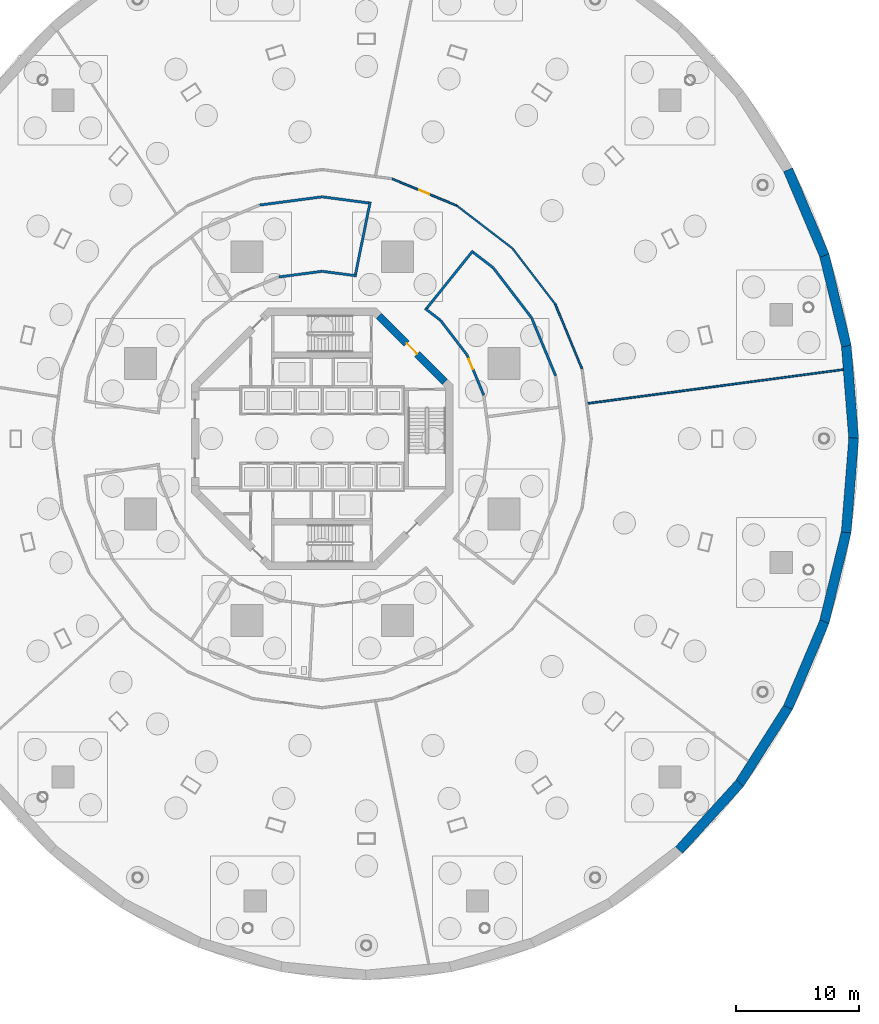
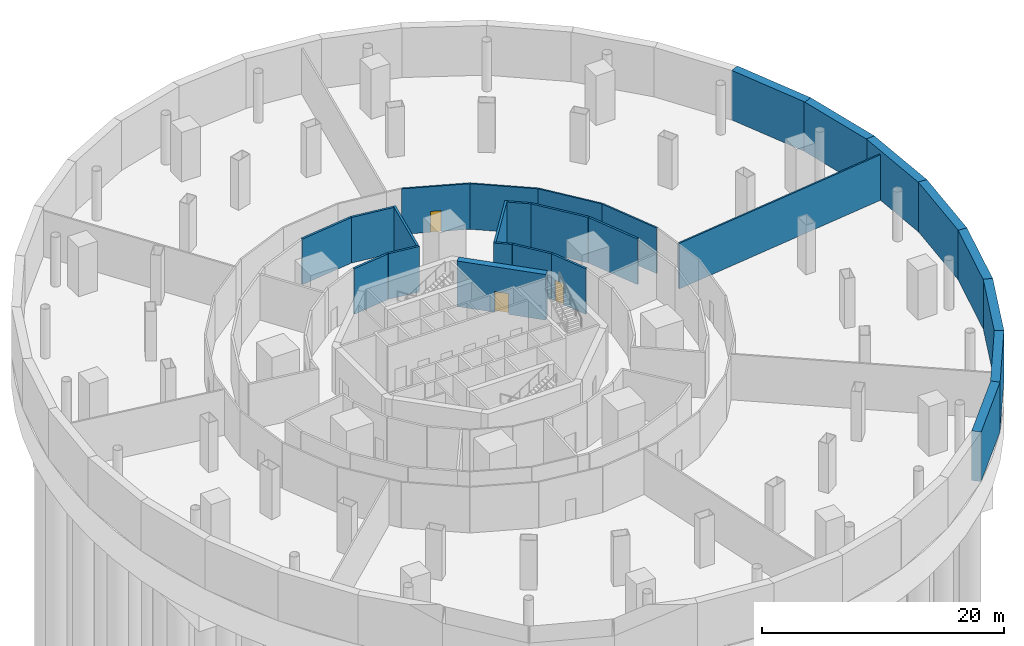
# One storey, part 9 of 14: 26 walls, 3 doors, 3 openings.
"""IFC4 building model written with IfcOpenShell, lengths in metres."""

import ifcopenshell
import ifcopenshell.guid

model = None  # the IFC model being written
_history = None  # IfcOwnerHistory: only IFC2X3 demands one
_inside = {}  # id of a spatial element -> (the spatial element, [elements in it])
_under = {}  # id of a project, library or spatial element -> (it, [spatial elements below it])
_declared = {}  # id of a project -> (the project, [libraries it declares])
_typed = {}  # id of a type object -> (the type object, [elements of that type])
_made_of = {}  # id of a material, layer set ... -> (it, [elements and type objects made of it])


def new_model(schema):
    """Start an empty IFC model of exactly this schema.

    Asked for "IFC4X3", IfcOpenShell would pick the latest addendum, in which some entities
    have other attributes; the version numbers below select the first issue.
    IFC2X3 requires an IfcOwnerHistory on every rooted entity: one is made here for all.
    """
    global model, _history
    if schema == "IFC4X3":
        model = ifcopenshell.file(schema_version=(4, 3, 0, 0))
    else:
        model = ifcopenshell.file(schema=schema)
    _inside.clear()
    _under.clear()
    _declared.clear()
    _typed.clear()
    _made_of.clear()
    _history = None
    if model.schema == "IFC2X3":
        org = make("IfcOrganization", Name="unknown")
        user = make(
            "IfcPersonAndOrganization",
            ThePerson=make("IfcPerson", FamilyName="unknown"),
            TheOrganization=org,
        )
        app = make(
            "IfcApplication",
            ApplicationDeveloper=org,
            Version="unknown",
            ApplicationFullName="unknown",
            ApplicationIdentifier="unknown",
        )
        _history = make(
            "IfcOwnerHistory",
            OwningUser=user,
            OwningApplication=app,
            ChangeAction="ADDED",
            CreationDate=0,
        )
    return model


def make(cls, **values):
    """One entity of the class cls with the attributes given. An attribute that is None is left unset."""
    return model.create_entity(
        cls, **{name: value for name, value in values.items() if value is not None}
    )


def rooted(cls, **values):
    """An entity with a GlobalId (a new one), such as an element, a storey or a relation."""
    return make(cls, GlobalId=ifcopenshell.guid.new(), OwnerHistory=_history, **values)


def si_unit(unit_type, name, prefix=None):
    """IfcSIUnit, for example si_unit("LENGTHUNIT", "METRE", prefix="MILLI")."""
    return make("IfcSIUnit", UnitType=unit_type, Prefix=prefix, Name=name)


def assignment(units):
    """IfcUnitAssignment: the units of a project."""
    return None if units is None else make("IfcUnitAssignment", Units=units)


def point(xyz):
    """IfcCartesianPoint."""
    return None if xyz is None else make("IfcCartesianPoint", Coordinates=xyz)


def direction(xyz):
    """IfcDirection."""
    return None if xyz is None else make("IfcDirection", DirectionRatios=xyz)


def frame(location, z_axis=None, x_axis=None):
    """IfcAxis2Placement3D, a coordinate frame: its origin and axes. An axis left out is left unset."""
    return make(
        "IfcAxis2Placement3D",
        Location=point(location),
        Axis=direction(z_axis),
        RefDirection=direction(x_axis),
    )


def frame_2d(location, x_axis=None):
    """IfcAxis2Placement2D, a coordinate frame in the plane: its origin and x axis."""
    return make(
        "IfcAxis2Placement2D", Location=point(location), RefDirection=direction(x_axis)
    )


def origin():
    """The frame at (0, 0, 0) with its axes left unset."""
    return frame((0.0, 0.0, 0.0))


def place(relative_to, where):
    """IfcLocalPlacement: puts the frame where relative to a parent placement (None: the world)."""
    return make(
        "IfcLocalPlacement", PlacementRelTo=relative_to, RelativePlacement=where
    )


def context(
    kind, dimensions, precision=None, world=None, true_north=None, identifier=None
):
    """IfcGeometricRepresentationContext, for example the 3D "Model" context."""
    return make(
        "IfcGeometricRepresentationContext",
        ContextIdentifier=identifier,
        ContextType=kind,
        CoordinateSpaceDimension=dimensions,
        Precision=precision,
        WorldCoordinateSystem=world,
        TrueNorth=true_north,
    )


def subcontext(parent, identifier, kind, view, scale=None):
    """IfcGeometricRepresentationSubContext, for example "Body" below "Model"."""
    return make(
        "IfcGeometricRepresentationSubContext",
        ContextIdentifier=identifier,
        ContextType=kind,
        ParentContext=parent,
        TargetScale=scale,
        TargetView=view,
    )


def project(units=None, contexts=None):
    """IfcProject with its units and contexts."""
    return rooted(
        "IfcProject",
        Name="project",
        RepresentationContexts=contexts,
        UnitsInContext=assignment(units),
    )


def spatial(cls, under=None, at=None, **own):
    """A site, building, storey or space (cls), placed at a placement, below another one or the project."""
    s = rooted(cls, ObjectPlacement=at, **own)
    if under is not None:
        _under.setdefault(under.id(), (under, []))[1].append(s)
    return s


def profile(cls, at=None, kind="AREA", **sizes):
    """A parametric profile (cls). Its sizes go by their IFC names, for example OverallWidth=200.0."""
    return make(cls, ProfileType=kind, Position=at, **sizes)


def rectangle(**sizes):
    """IfcRectangleProfileDef."""
    return profile("IfcRectangleProfileDef", **sizes)


def extrude(swept, where, along, depth):
    """IfcExtrudedAreaSolid: the profile swept, set in the frame where, extruded along a direction by depth."""
    return make(
        "IfcExtrudedAreaSolid",
        SweptArea=swept,
        Position=where,
        ExtrudedDirection=direction(along),
        Depth=depth,
    )


def shape(context_of_items, identifier, shape_type, items):
    """IfcShapeRepresentation: the items that make up one representation, for example the "Body"."""
    return make(
        "IfcShapeRepresentation",
        ContextOfItems=context_of_items,
        RepresentationIdentifier=identifier,
        RepresentationType=shape_type,
        Items=items,
    )


def material(Name=None, Category=None):
    """IfcMaterial."""
    return make("IfcMaterial", Name=Name, Category=Category)


def layer(
    of_material, thickness, ventilated=None, Name=None, Category=None, Priority=None
):
    """IfcMaterialLayer: one layer of a wall or slab, of a material (None: an air gap)."""
    return make(
        "IfcMaterialLayer",
        Material=of_material,
        LayerThickness=thickness,
        IsVentilated=ventilated,
        Name=Name,
        Category=Category,
        Priority=Priority,
    )


def layer_set(layers, Name=None):
    """IfcMaterialLayerSet."""
    return make("IfcMaterialLayerSet", MaterialLayers=layers, LayerSetName=Name)


def made_of(thing, what):
    """Note that an element or type object is made of a material, layer set ...; save() writes the relation."""
    if what is not None:
        _made_of.setdefault(what.id(), (what, []))[1].append(thing)
    return thing


def type_object(cls, material=None, **own):
    """A type object (cls), such as IfcWallType, which elements share."""
    return made_of(rooted(cls, **own), material)


def element(
    cls,
    number,
    at=None,
    inside=None,
    cuts=None,
    type_object=None,
    material=None,
    context=None,
    identifier="Body",
    shape_type=None,
    held_by="IfcProductDefinitionShape",
    body=None,
    shapes=None,
    **own,
):
    """One element of the class cls, such as IfcWall. Its Tag is "e" and its number.

    at: its placement. inside: the storey or other place that contains it. cuts: it is an
    opening in that element (IfcRelVoidsElement). A single representation is given by context,
    identifier, shape_type and body (its items); several are given by shapes. held_by: the class
    of the entity that holds the representations. save() writes the other relations.
    """
    e = rooted(cls, Tag="e%d" % number, ObjectPlacement=at, **own)
    if body is not None:
        shapes = [shape(context, identifier, shape_type, body)]
    if shapes is not None:
        e.Representation = make(held_by, Representations=shapes)
    if inside is not None:
        _inside.setdefault(inside.id(), (inside, []))[1].append(e)
    if cuts is not None:
        rooted(
            "IfcRelVoidsElement", RelatingBuildingElement=cuts, RelatedOpeningElement=e
        )
    if type_object is not None:
        _typed.setdefault(type_object.id(), (type_object, []))[1].append(e)
    return made_of(e, material)


def fill(opening, filler):
    """IfcRelFillsElement: the door or window that sits in an opening."""
    return rooted(
        "IfcRelFillsElement",
        RelatingOpeningElement=opening,
        RelatedBuildingElement=filler,
    )


def aggregate(whole, parts):
    """IfcRelAggregates: a whole, such as a stair, and the parts it consists of."""
    return rooted("IfcRelAggregates", RelatingObject=whole, RelatedObjects=parts)


def save(model, path):
    """Write the relations noted so far, then the file.

    IfcRelAggregates (storeys below a building ...), IfcRelContainedInSpatialStructure (elements
    in a storey), IfcRelDefinesByType, IfcRelAssociatesMaterial and IfcRelDeclares: one each for
    every whole, place, type object, material and project.
    """
    for whole, parts in _under.values():
        aggregate(whole, parts)
    for where, things in _inside.values():
        rooted(
            "IfcRelContainedInSpatialStructure",
            RelatedElements=things,
            RelatingStructure=where,
        )
    for kind, things in _typed.values():
        rooted("IfcRelDefinesByType", RelatedObjects=things, RelatingType=kind)
    for what, things in _made_of.values():
        rooted("IfcRelAssociatesMaterial", RelatedObjects=things, RelatingMaterial=what)
    for by, libraries in _declared.values():
        rooted("IfcRelDeclares", RelatingContext=by, RelatedDefinitions=libraries)
    model.write(path)


model = new_model("IFC4")

# Units and contexts
model_context = context("Model", 3, precision=1e-05, world=origin(), true_north=direction((0.0, 1.0)))
body_context = subcontext(model_context, "Body", "Model", "MODEL_VIEW")
ifc_project = project(units=[si_unit("LENGTHUNIT", "METRE"), si_unit("AREAUNIT", "SQUARE_METRE"), si_unit("VOLUMEUNIT", "CUBIC_METRE"), si_unit("PLANEANGLEUNIT", "RADIAN"), si_unit("MASSUNIT", "GRAM", prefix="KILO")], contexts=[model_context])

# Site, building, storey
site_placement = place(None, origin())
site = spatial("IfcSite", under=ifc_project, at=site_placement, CompositionType="ELEMENT")
building_placement = place(site_placement, origin())
building = spatial("IfcBuilding", under=site, at=building_placement, Name="Nagisa Residences", CompositionType="ELEMENT")
storey_placement = place(building_placement, frame((0.0, 0.0, -10.0)))
storey = spatial("IfcBuildingStorey", under=building, at=storey_placement, Name="B2", CompositionType="ELEMENT", Elevation=-10.0)

# Walls
ifc_material_1 = material(Name="Concrete C40", Category="concrete")
ifc_layer_1 = layer(ifc_material_1, 0.800048828125)
ifc_layer_set_1 = layer_set([ifc_layer_1], Name="Basement retaining wall 800")
wall_type_1 = type_object("IfcWallType", Name="Basement retaining wall 800", PredefinedType="SOLIDWALL", material=ifc_layer_set_1)
wall_1_placement = place(storey_placement, frame((43.20361328125, 0.0498046875, 0.0), z_axis=(0.0, 0.0, 1.0), x_axis=(-0.079287821658, -0.996851764977, 0.0)))
element("IfcWall", 1, at=wall_1_placement, inside=storey, type_object=wall_type_1, Name="wall:B2:ret01", PredefinedType="SOLIDWALL", context=body_context, shape_type="SweptSolid", body=[
    extrude(rectangle(XDim=7.700927734375, YDim=0.800048828125, at=frame_2d((3.8505859375, 0.0))), origin(), (0.0, 0.0, 1.0), 5.0),
])
wall_2_placement = place(storey_placement, frame((42.60888671875, -7.528564453125, 0.0), z_axis=(0.0, 0.0, 1.0), x_axis=(-0.236659774211, -0.971592585022, 0.0)))
element("IfcWall", 2, at=wall_2_placement, inside=storey, type_object=wall_type_1, Name="wall:B2:ret02", PredefinedType="SOLIDWALL", context=body_context, shape_type="SweptSolid", body=[
    extrude(rectangle(XDim=7.66064453125, YDim=0.800048828125, at=frame_2d((3.830322265625, 0.0))), origin(), (0.0, 0.0, 1.0), 5.0),
])
wall_3_placement = place(storey_placement, frame((40.8271484375, -14.876953125, 0.0), z_axis=(0.0, 0.0, 1.0), x_axis=(-0.390299354435, -0.920688011179, 0.0)))
element("IfcWall", 3, at=wall_3_placement, inside=storey, type_object=wall_type_1, Name="wall:B2:ret03", PredefinedType="SOLIDWALL", context=body_context, shape_type="SweptSolid", body=[
    extrude(rectangle(XDim=7.58447265625, YDim=0.800048828125, at=frame_2d((3.792236328125, 0.0))), origin(), (0.0, 0.0, 1.0), 5.0),
])
wall_4_placement = place(storey_placement, frame((37.913330078125, -21.771728515625, 0.0), z_axis=(0.0, 0.0, 1.0), x_axis=(-0.53696630052, -0.843603693748, 0.0)))
element("IfcWall", 4, at=wall_4_placement, inside=storey, type_object=wall_type_1, Name="wall:B2:ret04", PredefinedType="SOLIDWALL", context=body_context, shape_type="SweptSolid", body=[
    extrude(rectangle(XDim=7.480224609375, YDim=0.800048828125, at=frame_2d((3.740234375, 0.0))), origin(), (0.0, 0.0, 1.0), 5.0),
])
wall_5_placement = place(storey_placement, frame((33.95703125, -28.002685546875, 0.0), z_axis=(0.0, 0.0, 1.0), x_axis=(-0.672652980875, -0.73995808484, 0.0)))
element("IfcWall", 5, at=wall_5_placement, inside=storey, type_object=wall_type_1, Name="wall:B2:ret05", PredefinedType="SOLIDWALL", context=body_context, shape_type="SweptSolid", body=[
    extrude(rectangle(XDim=7.35986328125, YDim=0.800048828125, at=frame_2d((3.679931640625, 0.0))), origin(), (0.0, 0.0, 1.0), 5.0),
])
wall_6_placement = place(storey_placement, frame((37.866943359375, 21.85986328125, 0.0), z_axis=(0.0, 0.0, 1.0), x_axis=(0.390299354435, -0.920688011179, 0.0)))
element("IfcWall", 6, at=wall_6_placement, inside=storey, type_object=wall_type_1, Name="wall:B2:ret34", PredefinedType="SOLIDWALL", context=body_context, shape_type="SweptSolid", body=[
    extrude(rectangle(XDim=7.58447265625, YDim=0.800048828125, at=frame_2d((3.792236328125, 0.0))), origin(), (0.0, 0.0, 1.0), 5.0),
])
wall_7_placement = place(storey_placement, frame((40.7958984375, 14.9716796875, 0.0), z_axis=(0.0, 0.0, 1.0), x_axis=(0.236659774211, -0.971592585022, 0.0)))
element("IfcWall", 7, at=wall_7_placement, inside=storey, type_object=wall_type_1, Name="wall:B2:ret35", PredefinedType="SOLIDWALL", context=body_context, shape_type="SweptSolid", body=[
    extrude(rectangle(XDim=7.66064453125, YDim=0.800048828125, at=frame_2d((3.830322265625, 0.0))), origin(), (0.0, 0.0, 1.0), 5.0),
])
wall_8_placement = place(storey_placement, frame((42.593017578125, 7.626953125, 0.0), z_axis=(0.0, 0.0, 1.0), x_axis=(0.079287821658, -0.996851764977, 0.0)))
element("IfcWall", 8, at=wall_8_placement, inside=storey, type_object=wall_type_1, Name="wall:B2:ret36", PredefinedType="SOLIDWALL", context=body_context, shape_type="SweptSolid", body=[
    extrude(rectangle(XDim=7.700927734375, YDim=0.800048828125, at=frame_2d((3.8505859375, 0.0))), origin(), (0.0, 0.0, 1.0), 5.0),
])

# Wall, opening, door
ifc_material_2 = material(Name="Concrete C60", Category="concrete")
ifc_layer_2 = layer(ifc_material_2, 0.60009765625)
ifc_layer_set_2 = layer_set([ifc_layer_2], Name="Core shear wall 600")
wall_type_2 = type_object("IfcWallType", Name="Core shear wall 600", PredefinedType="SHEAR", material=ifc_layer_set_2)
wall_9_placement = place(storey_placement, frame((9.98828125, 4.613037109375, 0.0), z_axis=(0.0, 0.0, 1.0), x_axis=(-0.707106781187, 0.707106781187, 0.0)))
wall_9 = element("IfcWall", 9, at=wall_9_placement, inside=storey, type_object=wall_type_2, Name="wall:B2:core:flat1", PredefinedType="SHEAR", context=body_context, shape_type="SweptSolid", body=[
    extrude(rectangle(XDim=7.601806640625, YDim=0.60009765625, at=frame_2d((3.80078125, 0.0))), origin(), (0.0, 0.0, 1.0), 4.60009765625),
])
opening_1_placement = place(wall_9_placement, frame((3.200927734375, 0.0, 0.0)))
opening_1 = element("IfcOpeningElement", 10, at=opening_1_placement, cuts=wall_9, Name="Opening B2-C23", PredefinedType="OPENING", context=body_context, shape_type="SweptSolid", body=[
    extrude(rectangle(XDim=1.199951171875, YDim=2.10009765625, at=frame_2d((0.60009765625, 1.050048828125))), frame((0.0, 0.31005859375, 0.0), z_axis=(0.0, -1.0, 0.0), x_axis=(1.0, 0.0, 0.0)), (0.0, 0.0, 1.0), 0.6201171875),
])
ifc_material_3 = material(Name="Steel fire door", Category="steel")
door_type_1 = type_object("IfcDoorType", Name="Fire door EI60 1200x2100 single swing", OperationType="NOTDEFINED", PredefinedType="DOOR", material=ifc_material_3)
door_1_placement = place(opening_1_placement, origin())
door_1 = element("IfcDoor", 11, at=door_1_placement, inside=storey, type_object=door_type_1, Name="Firefighting lobby 1 door B2", OperationType="SINGLE_SWING_LEFT", OverallHeight=2.10009765625, OverallWidth=1.199951171875, PredefinedType="DOOR", context=body_context, shape_type="SweptSolid", body=[
    extrude(rectangle(XDim=1.199951171875, YDim=2.10009765625, at=frame_2d((0.60009765625, 1.050048828125))), frame((0.0, 0.02490234375, 0.0), z_axis=(0.0, -1.0, 0.0), x_axis=(1.0, 0.0, 0.0)), (0.0, 0.0, 1.0), 0.050048828125),
])
fill(opening_1, door_1)

# Walls
ifc_material_4 = material(Name="Gypsum board on steel studs", Category="steel")
ifc_layer_3 = layer(ifc_material_4, 0.199951171875)
ifc_layer_set_3 = layer_set([ifc_layer_3], Name="Plant room wall EI120 200")
wall_type_3 = type_object("IfcWallType", Name="Plant room wall EI120 200", PredefinedType="PARTITIONING", material=ifc_layer_set_3)
wall_10_placement = place(storey_placement, frame((-3.5048828125, 13.138671875, 0.0), z_axis=(0.0, 0.0, 1.0), x_axis=(0.991452406768, 0.130468866457, 0.0)))
element("IfcWall", 12, at=wall_10_placement, inside=storey, type_object=wall_type_3, Name="wall:B2:am068", PredefinedType="PARTITIONING", context=body_context, shape_type="SweptSolid", body=[
    extrude(rectangle(XDim=3.519775390625, YDim=0.199951171875, at=frame_2d((1.759765625, 0.0))), origin(), (0.0, 0.0, 1.0), 4.60009765625),
])
wall_11_placement = place(storey_placement, frame((0.01513671875, 13.597900390625, 0.0), z_axis=(0.0, 0.0, 1.0), x_axis=(0.99144389086, -0.13053356379, 0.0)))
element("IfcWall", 13, at=wall_11_placement, inside=storey, type_object=wall_type_3, Name="wall:B2:am073", PredefinedType="PARTITIONING", context=body_context, shape_type="SweptSolid", body=[
    extrude(rectangle(XDim=2.796142578125, YDim=0.199951171875, at=frame_2d((1.39794921875, 0.0))), origin(), (0.0, 0.0, 1.0), 4.60009765625),
])
wall_12_placement = place(storey_placement, frame((-0.01513671875, 19.64990234375, 0.0), z_axis=(0.0, 0.0, 1.0), x_axis=(-0.991441907417, -0.13054862779, 0.0)))
element("IfcWall", 14, at=wall_12_placement, inside=storey, type_object=wall_type_3, Name="wall:B2:am074", PredefinedType="PARTITIONING", context=body_context, shape_type="SweptSolid", body=[
    extrude(rectangle(XDim=5.099853515625, YDim=0.199951171875, at=frame_2d((2.5498046875, 0.0))), origin(), (0.0, 0.0, 1.0), 4.60009765625),
])
wall_13_placement = place(storey_placement, frame((2.707763671875, 13.34423828125, 0.0), z_axis=(0.0, 0.0, 1.0), x_axis=(0.198855261413, 0.980028869477, 0.0)))
element("IfcWall", 15, at=wall_13_placement, inside=storey, type_object=wall_type_3, Name="wall:B2:am075", PredefinedType="PARTITIONING", context=body_context, shape_type="SweptSolid", body=[
    extrude(rectangle(XDim=6.0146484375, YDim=0.199951171875, at=frame_2d((3.00732421875, 0.0))), origin(), (0.0, 0.0, 1.0), 4.60009765625),
])
wall_14_placement = place(storey_placement, frame((3.78466796875, 19.153564453125, 0.0), z_axis=(0.0, 0.0, 1.0), x_axis=(-0.991442489306, 0.130544208598, 0.0)))
element("IfcWall", 16, at=wall_14_placement, inside=storey, type_object=wall_type_3, Name="wall:B2:am077", PredefinedType="PARTITIONING", context=body_context, shape_type="SweptSolid", body=[
    extrude(rectangle(XDim=3.802001953125, YDim=0.199951171875, at=frame_2d((1.90087890625, 0.0))), origin(), (0.0, 0.0, 1.0), 4.60009765625),
])
wall_15_placement = place(storey_placement, frame((8.362548828125, 10.5791015625, 0.0), z_axis=(0.0, 0.0, 1.0), x_axis=(0.793365367908, -0.608745753992, 0.0)))
element("IfcWall", 17, at=wall_15_placement, inside=storey, type_object=wall_type_3, Name="wall:B2:am081", PredefinedType="PARTITIONING", context=body_context, shape_type="SweptSolid", body=[
    extrude(rectangle(XDim=1.565673828125, YDim=0.199951171875, at=frame_2d((0.78271484375, 0.0))), origin(), (0.0, 0.0, 1.0), 4.60009765625),
])
wall_16_placement = place(storey_placement, frame((9.6259765625, 9.604736328125, 0.0), z_axis=(0.0, 0.0, 1.0), x_axis=(0.608697977542, -0.793402024283, 0.0)))
element("IfcWall", 18, at=wall_16_placement, inside=storey, type_object=wall_type_3, Name="wall:B2:am082", PredefinedType="PARTITIONING", context=body_context, shape_type="SweptSolid", body=[
    extrude(rectangle(XDim=3.52001953125, YDim=0.199951171875, at=frame_2d((1.760009765625, 0.0))), origin(), (0.0, 0.0, 1.0), 4.60009765625),
])

# Wall, opening, door
wall_17_placement = place(storey_placement, frame((11.78369140625, 6.785888671875, 0.0), z_axis=(0.0, 0.0, 1.0), x_axis=(0.382723413813, -0.92386297064, 0.0)))
wall_17 = element("IfcWall", 19, at=wall_17_placement, inside=storey, type_object=wall_type_3, Name="wall:B2:am086", PredefinedType="PARTITIONING", context=body_context, shape_type="SweptSolid", body=[
    extrude(rectangle(XDim=3.52001953125, YDim=0.199951171875, at=frame_2d((1.760009765625, 0.0))), origin(), (0.0, 0.0, 1.0), 4.60009765625),
])
opening_2_placement = place(wall_17_placement, frame((0.34228515625, 0.0, 0.0)))
opening_2 = element("IfcOpeningElement", 20, at=opening_2_placement, cuts=wall_17, Name="Opening B2-A01", PredefinedType="OPENING", context=body_context, shape_type="SweptSolid", body=[
    extrude(rectangle(XDim=0.89990234375, YDim=2.10009765625, at=frame_2d((0.449951171875, 1.050048828125))), frame((0.0, 0.10986328125, 0.0), z_axis=(0.0, -1.0, 0.0), x_axis=(1.0, 0.0, 0.0)), (0.0, 0.0, 1.0), 0.219970703125),
])
ifc_material_5 = material(Name="Steel fire door", Category="steel")
door_type_2 = type_object("IfcDoorType", Name="Fire door EI120 900x2100 single swing", OperationType="NOTDEFINED", PredefinedType="DOOR", material=ifc_material_5)
door_2_placement = place(opening_2_placement, origin())
door_2 = element("IfcDoor", 21, at=door_2_placement, inside=storey, type_object=door_type_2, Name="Domestic water pump room door", OperationType="SINGLE_SWING_RIGHT", OverallHeight=2.10009765625, OverallWidth=0.89990234375, PredefinedType="DOOR", context=body_context, shape_type="SweptSolid", body=[
    extrude(rectangle(XDim=0.89990234375, YDim=2.10009765625, at=frame_2d((0.449951171875, 1.050048828125))), frame((0.0, 0.02490234375, 0.0), z_axis=(0.0, -1.0, 0.0), x_axis=(1.0, 0.0, 0.0)), (0.0, 0.0, 1.0), 0.050048828125),
])
fill(opening_2, door_2)

# Walls
wall_18_placement = place(storey_placement, frame((12.260986328125, 15.276611328125, 0.0), z_axis=(0.0, 0.0, 1.0), x_axis=(-0.625939450801, -0.779871658628, 0.0)))
element("IfcWall", 22, at=wall_18_placement, inside=storey, type_object=wall_type_3, Name="wall:B2:am088", PredefinedType="PARTITIONING", context=body_context, shape_type="SweptSolid", body=[
    extrude(rectangle(XDim=6.00146484375, YDim=0.199951171875, at=frame_2d((3.000732421875, 0.0))), origin(), (0.0, 0.0, 1.0), 4.60009765625),
])
wall_19_placement = place(storey_placement, frame((13.8837890625, 13.905029296875, 0.0), z_axis=(0.0, 0.0, 1.0), x_axis=(-0.79330932609, 0.608818785139, 0.0)))
element("IfcWall", 23, at=wall_19_placement, inside=storey, type_object=wall_type_3, Name="wall:B2:am093", PredefinedType="PARTITIONING", context=body_context, shape_type="SweptSolid", body=[
    extrude(rectangle(XDim=2.024658203125, YDim=0.199951171875, at=frame_2d((1.01220703125, 0.0))), origin(), (0.0, 0.0, 1.0), 4.60009765625),
])
for number, where, z_axis, x_axis, name in (
    (24, (17.009765625, 9.837890625, 0.0), (0.0, 0.0, 1.0), (-0.608787255668, 0.79333352213, 0.0), "wall:B2:am096"),
    (25, (18.976318359375, 5.100341796875, 0.0), (0.0, 0.0, 1.0), (-0.382687210373, 0.9238779676, 0.0), "wall:B2:am098"),
):
    element("IfcWall", number, at=place(storey_placement, frame(where, z_axis=z_axis, x_axis=x_axis)), inside=storey, type_object=wall_type_3, Name=name, PredefinedType="PARTITIONING", context=body_context, shape_type="SweptSolid", body=[
        extrude(rectangle(XDim=5.099853515625, YDim=0.199951171875, at=frame_2d((2.5498046875, 0.0))), origin(), (0.0, 0.0, 1.0), 4.60009765625),
    ])

# Wall, opening, door
ifc_material_6 = material(Name="Gypsum board on steel studs", Category="steel")
ifc_layer_4 = layer(ifc_material_6, 0.14990234375)
ifc_layer_set_4 = layer_set([ifc_layer_4], Name="Room partition EI60 150")
wall_type_4 = type_object("IfcWallType", Name="Room partition EI60 150", PredefinedType="PARTITIONING", material=ifc_layer_set_4)
wall_20_placement = place(storey_placement, frame((5.671630859375, 21.120849609375, 0.0), z_axis=(0.0, 0.0, 1.0), x_axis=(0.923876568882, -0.38269058712, 0.0)))
wall_20 = element("IfcWall", 26, at=wall_20_placement, inside=storey, type_object=wall_type_4, Name="wall:B2:am030", PredefinedType="PARTITIONING", context=body_context, shape_type="SweptSolid", body=[
    extrude(rectangle(XDim=5.685546875, YDim=0.14990234375, at=frame_2d((2.8427734375, 0.0))), origin(), (0.0, 0.0, 1.0), 4.60009765625),
])
opening_3_placement = place(wall_20_placement, frame((2.392822265625, 0.0, 0.0)))
opening_3 = element("IfcOpeningElement", 27, at=opening_3_placement, cuts=wall_20, Name="Opening B2-A08", PredefinedType="OPENING", context=body_context, shape_type="SweptSolid", body=[
    extrude(rectangle(XDim=0.89990234375, YDim=2.10009765625, at=frame_2d((0.449951171875, 1.050048828125))), frame((0.0, 0.0849609375, 0.0), z_axis=(0.0, -1.0, 0.0), x_axis=(1.0, 0.0, 0.0)), (0.0, 0.0, 1.0), 0.169921875),
])
ifc_material_7 = material(Name="Steel fire door", Category="steel")
door_type_3 = type_object("IfcDoorType", Name="Fire door EI30 900x2100 single swing", OperationType="NOTDEFINED", PredefinedType="DOOR", material=ifc_material_7)
door_3_placement = place(opening_3_placement, origin())
door_3 = element("IfcDoor", 28, at=door_3_placement, inside=storey, type_object=door_type_3, Name="Residents' storage cages door", OperationType="SINGLE_SWING_LEFT", OverallHeight=2.10009765625, OverallWidth=0.89990234375, PredefinedType="DOOR", context=body_context, shape_type="SweptSolid", body=[
    extrude(rectangle(XDim=0.89990234375, YDim=2.10009765625, at=frame_2d((0.449951171875, 1.050048828125))), frame((0.0, 0.02490234375, 0.0), z_axis=(0.0, -1.0, 0.0), x_axis=(1.0, 0.0, 0.0)), (0.0, 0.0, 1.0), 0.050048828125),
])
fill(opening_3, door_3)

# Walls
for number, where, z_axis, x_axis, name in (
    (29, (10.94482421875, 18.933349609375, 0.0), (0.0, 0.0, 1.0), (0.793356107398, -0.608757822828, 0.0), "wall:B2:am032"),
    (30, (15.47216796875, 15.45556640625, 0.0), (0.0, 0.0, 1.0), (0.608757822828, -0.793356107398, 0.0), "wall:B2:am034"),
    (31, (18.945068359375, 10.92431640625, 0.0), (0.0, 0.0, 1.0), (0.38269058712, -0.923876568882, 0.0), "wall:B2:am038"),
):
    element("IfcWall", number, at=place(storey_placement, frame(where, z_axis=z_axis, x_axis=x_axis)), inside=storey, type_object=wall_type_4, Name=name, PredefinedType="PARTITIONING", context=body_context, shape_type="SweptSolid", body=[
        extrude(rectangle(XDim=5.685546875, YDim=0.14990234375, at=frame_2d((2.8427734375, 0.0))), origin(), (0.0, 0.0, 1.0), 4.60009765625),
    ])
wall_21_placement = place(storey_placement, frame((42.352294921875, 5.60986328125, 0.0), z_axis=(0.0, 0.0, 1.0), x_axis=(-0.991340034586, -0.131319974977, 0.0)))
element("IfcWall", 32, at=wall_21_placement, inside=storey, type_object=wall_type_4, Name="wall:B2:am043", PredefinedType="PARTITIONING", context=body_context, shape_type="SweptSolid", body=[
    extrude(rectangle(XDim=20.963623046875, YDim=0.14990234375, at=frame_2d((10.48193359375, 0.0))), origin(), (0.0, 0.0, 1.0), 4.60009765625),
])

save(model, "model.ifc")
